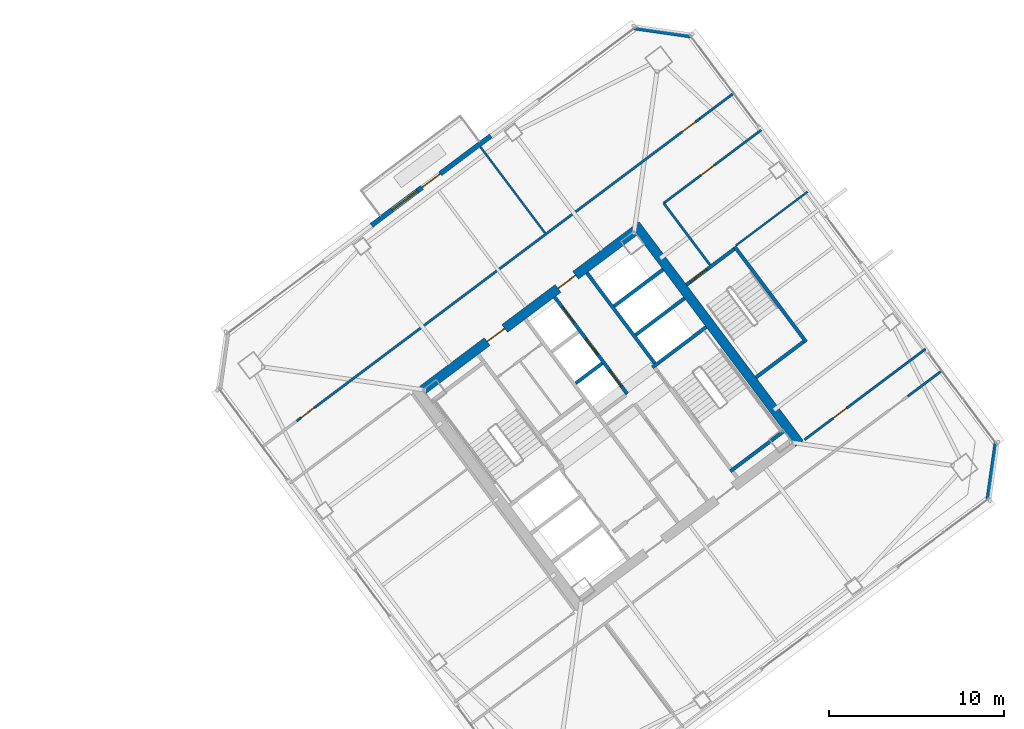
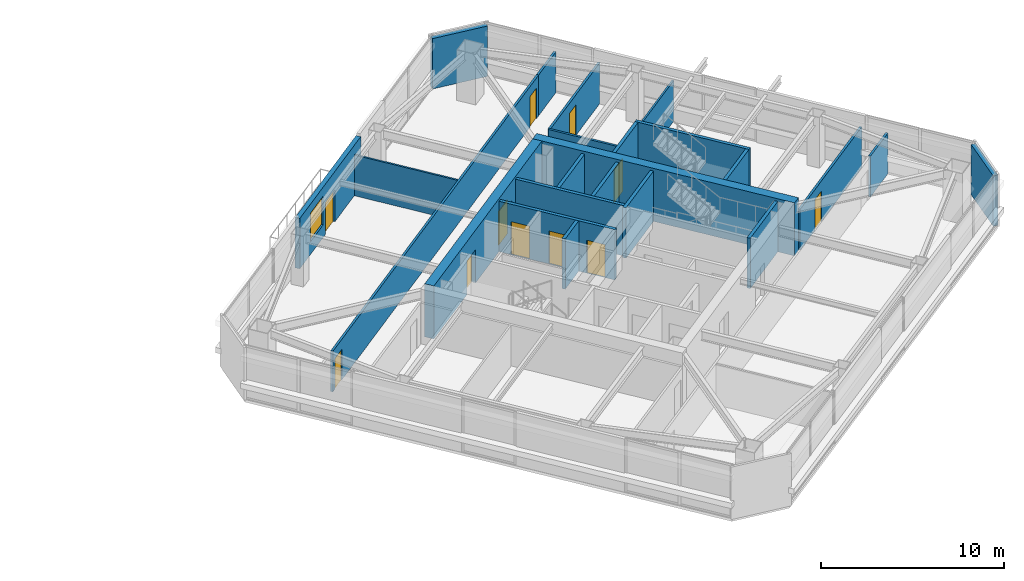
# One storey, part 37 of 44: 23 walls, 11 doors, 1 window, 12 openings.
"""IFC4 building model written with IfcOpenShell, lengths in metres."""

from ifc_helpers import new_model, si_unit, direction, frame, frame_2d, origin, place, context, subcontext, project, spatial, rectangle, extrude, material, layer, layer_set, type_object, element, fill, save


model = new_model("IFC4")

# Units and contexts
model_context = context("Model", 3, precision=1e-05, world=origin(), true_north=direction((0.0, 1.0)))
body_context = subcontext(model_context, "Body", "Model", "MODEL_VIEW")
ifc_project = project(units=[si_unit("LENGTHUNIT", "METRE"), si_unit("AREAUNIT", "SQUARE_METRE"), si_unit("VOLUMEUNIT", "CUBIC_METRE"), si_unit("PLANEANGLEUNIT", "RADIAN"), si_unit("MASSUNIT", "GRAM", prefix="KILO")], contexts=[model_context])

# Site, building, storey
site_placement = place(None, origin())
site = spatial("IfcSite", under=ifc_project, at=site_placement, CompositionType="ELEMENT")
building_placement = place(site_placement, origin())
building = spatial("IfcBuilding", under=site, at=building_placement, Name="Tashvorn Skyway Center", CompositionType="ELEMENT")
storey_placement = place(building_placement, frame((0.0, 0.0, 181.85009765625)))
storey = spatial("IfcBuildingStorey", under=building, at=storey_placement, Name="L49", CompositionType="ELEMENT", Elevation=181.85009765625)

# Wall
ifc_material_1 = material(Name="Concrete C60/75", Category="concrete")
ifc_layer_1 = layer(ifc_material_1, 0.550048828125)
ifc_layer_set_1 = layer_set([ifc_layer_1], Name="Concrete C60/75")
wall_type_1 = type_object("IfcWallType", Name="WALL-CORE-550", PredefinedType="SHEAR", material=ifc_layer_set_1)
wall_1_placement = place(storey_placement, frame((115.56396484375, 42.923095703125, 0.0), z_axis=(0.0, 0.0, 1.0), x_axis=(0.600005007985, -0.799996243986, 0.0)))
element("IfcWall", 1, at=wall_1_placement, inside=storey, type_object=wall_type_1, Name="Tower 2 L49 East Core Shear Wall", PredefinedType="SHEAR", context=body_context, shape_type="SweptSolid", body=[
    extrude(rectangle(XDim=15.60009765625, YDim=0.550048828125, at=frame_2d((7.800048828125, 0.0))), origin(), (0.0, 0.0, 1.0), 3.5498046875),
])

# Wall, openings, doors
wall_2_placement = place(storey_placement, frame((103.4609375, 33.501953125, 0.0), z_axis=(0.0, 0.0, 1.0), x_axis=(0.799998054672, 0.600002593761, 0.0)))
wall_2 = element("IfcWall", 2, at=wall_2_placement, inside=storey, type_object=wall_type_1, Name="Tower 2 L49 North Core Shear Wall", PredefinedType="SHEAR", context=body_context, shape_type="SweptSolid", body=[
    extrude(rectangle(XDim=15.06005859375, YDim=0.550048828125, at=frame_2d((7.530029296875, 0.0))), origin(), (0.0, 0.0, 1.0), 3.5498046875),
])
opening_1_placement = place(wall_2_placement, frame((4.580078125, 0.0, 0.0)))
opening_1 = element("IfcOpeningElement", 3, at=opening_1_placement, cuts=wall_2, Name="Opening D-FFL-1250", PredefinedType="OPENING", context=body_context, shape_type="SweptSolid", body=[
    extrude(rectangle(XDim=1.25, YDim=2.25, at=frame_2d((0.625, 1.125))), frame((0.0, 0.284912109375, 0.0), z_axis=(0.0, -1.0, 0.0), x_axis=(1.0, 0.0, 0.0)), (0.0, 0.0, 1.0), 0.570068359375),
])
opening_2_placement = place(wall_2_placement, frame((9.6298828125, 0.0, 0.0)))
opening_2 = element("IfcOpeningElement", 4, at=opening_2_placement, cuts=wall_2, Name="Opening D-FFL-1250", PredefinedType="OPENING", context=body_context, shape_type="SweptSolid", body=[
    extrude(rectangle(XDim=1.25, YDim=2.25, at=frame_2d((0.625, 1.125))), frame((0.0, 0.284912109375, 0.0), z_axis=(0.0, -1.0, 0.0), x_axis=(1.0, 0.0, 0.0)), (0.0, 0.0, 1.0), 0.570068359375),
])
ifc_material_2 = material(Name="Hollow galvanized steel fire door assembly", Category="steel")
door_type_1 = type_object("IfcDoorType", Name="DOOR-FFL-1250", OperationType="NOTDEFINED", PredefinedType="DOOR", material=ifc_material_2)
door_1_placement = place(opening_1_placement, origin())
door_1 = element("IfcDoor", 5, at=door_1_placement, inside=storey, type_object=door_type_1, Name="Tower 2 L49 Core North Service Lobby Door", OperationType="SINGLE_SWING_LEFT", OverallHeight=2.25, OverallWidth=1.25, PredefinedType="DOOR", context=body_context, shape_type="SweptSolid", body=[
    extrude(rectangle(XDim=1.25, YDim=2.25, at=frame_2d((0.625, 1.125))), frame((0.0, 0.02490234375, 0.0), z_axis=(0.0, -1.0, 0.0), x_axis=(1.0, 0.0, 0.0)), (0.0, 0.0, 1.0), 0.050048828125),
])
fill(opening_1, door_1)
door_2_placement = place(opening_2_placement, origin())
door_2 = element("IfcDoor", 6, at=door_2_placement, inside=storey, type_object=door_type_1, Name="Tower 2 L49 Core North Lift Lobby Door", OperationType="SINGLE_SWING_RIGHT", OverallHeight=2.25, OverallWidth=1.25, PredefinedType="DOOR", context=body_context, shape_type="SweptSolid", body=[
    extrude(rectangle(XDim=1.25, YDim=2.25, at=frame_2d((0.625, 1.125))), frame((0.0, 0.02490234375, 0.0), z_axis=(0.0, -1.0, 0.0), x_axis=(1.0, 0.0, 0.0)), (0.0, 0.0, 1.0), 0.050048828125),
])
fill(opening_2, door_2)

# Wall, openings, door, window
ifc_material_3 = material(Name="Precast concrete C40/50", Category="concrete")
ifc_layer_2 = layer(ifc_material_3, 0.280029296875)
ifc_layer_set_2 = layer_set([ifc_layer_2], Name="Precast concrete C40/50")
wall_type_2 = type_object("IfcWallType", Name="WALL-EXT-280", PredefinedType="SOLIDWALL", material=ifc_layer_set_2)
wall_3_placement = place(storey_placement, frame((100.531982421875, 42.8740234375, 0.0), z_axis=(0.0, 0.0, 1.0), x_axis=(0.799996553335, 0.600004595526, 0.0)))
wall_3 = element("IfcWall", 7, at=wall_3_placement, inside=storey, type_object=wall_type_2, Name="Tower 2 L49 North Terrace Portal Wall", PredefinedType="SOLIDWALL", context=body_context, shape_type="SweptSolid", body=[
    extrude(rectangle(XDim=8.5, YDim=0.280029296875, at=frame_2d((4.25, 0.0))), origin(), (0.0, 0.0, 1.0), 3.369873046875),
])
opening_3_placement = place(wall_3_placement, frame((3.60009765625, 0.0, 0.0)))
opening_3 = element("IfcOpeningElement", 8, at=opening_3_placement, cuts=wall_3, Name="Opening D-TER-1300", PredefinedType="OPENING", context=body_context, shape_type="SweptSolid", body=[
    extrude(rectangle(XDim=1.300048828125, YDim=2.14990234375, at=frame_2d((0.64990234375, 1.074951171875))), frame((0.0, 0.14990234375, 0.0), z_axis=(0.0, -1.0, 0.0), x_axis=(1.0, 0.0, 0.0)), (0.0, 0.0, 1.0), 0.300048828125),
])
opening_4_placement = place(wall_3_placement, frame((1.4599609375, 0.0, 0.85009765625)))
opening_4 = element("IfcOpeningElement", 9, at=opening_4_placement, cuts=wall_3, Name="Opening WIN-1800", PredefinedType="OPENING", context=body_context, shape_type="SweptSolid", body=[
    extrude(rectangle(XDim=1.800048828125, YDim=1.919921875, at=frame_2d((0.89990234375, 0.9599609375))), frame((0.0, 0.14990234375, 0.0), z_axis=(0.0, -1.0, 0.0), x_axis=(1.0, 0.0, 0.0)), (0.0, 0.0, 1.0), 0.300048828125),
])
ifc_material_4 = material(Name="Thermally broken bronze-anodized aluminium 6063-T6", Category="aluminium")
door_type_2 = type_object("IfcDoorType", Name="DOOR-TERR-1300", OperationType="NOTDEFINED", PredefinedType="DOOR", material=ifc_material_4)
door_3_placement = place(opening_3_placement, origin())
door_3 = element("IfcDoor", 10, at=door_3_placement, inside=storey, type_object=door_type_2, Name="Tower 2 L49 Terrace Access Door", OperationType="SINGLE_SWING_RIGHT", OverallHeight=2.14990234375, OverallWidth=1.300048828125, PredefinedType="DOOR", context=body_context, shape_type="SweptSolid", body=[
    extrude(rectangle(XDim=1.300048828125, YDim=2.14990234375, at=frame_2d((0.64990234375, 1.074951171875))), frame((0.0, 0.02490234375, 0.0), z_axis=(0.0, -1.0, 0.0), x_axis=(1.0, 0.0, 0.0)), (0.0, 0.0, 1.0), 0.050048828125),
])
fill(opening_3, door_3)
ifc_material_5 = material(Name="Low-E solar-control double insulating safety glass", Category="glass")
window_type = type_object("IfcWindowType", Name="WIN-TERR-1800", PartitioningType="SINGLE_PANEL", PredefinedType="WINDOW", material=ifc_material_5)
window_placement = place(opening_4_placement, origin())
window = element("IfcWindow", 11, at=window_placement, inside=storey, type_object=window_type, Name="Tower 2 L49 Terrace Window", OverallHeight=1.919921875, OverallWidth=1.800048828125, PartitioningType="SINGLE_PANEL", PredefinedType="WINDOW", context=body_context, shape_type="SweptSolid", body=[
    extrude(rectangle(XDim=1.800048828125, YDim=1.919921875, at=frame_2d((0.89990234375, 0.9599609375))), frame((0.0, 0.030029296875, 0.0), z_axis=(0.0, -1.0, 0.0), x_axis=(1.0, 0.0, 0.0)), (0.0, 0.0, 1.0), 0.06005859375),
])
fill(opening_4, window)

# Walls
for number, where, z_axis, x_axis, name in (
    (12, (115.52001953125, 54.139892578125, 0.0), (0.0, 0.0, 1.0), (0.989950994782, -0.141410847992, 0.0), "Tower 2 L49 NE Precast Chamfer Wall"),
    (13, (136.139892578125, 30.47998046875, 0.0), (0.0, 0.0, 1.0), (-0.141410847992, -0.989950994782, 0.0), "Tower 2 L49 SE Precast Chamfer Wall"),
):
    element("IfcWall", number, at=place(storey_placement, frame(where, z_axis=z_axis, x_axis=x_axis)), inside=storey, type_object=wall_type_2, Name=name, PredefinedType="SOLIDWALL", context=body_context, shape_type="SweptSolid", body=[
        extrude(rectangle(XDim=3.252685546875, YDim=0.280029296875, at=frame_2d((1.62646484375, 0.0))), origin(), (0.0, 0.0, 1.0), 3.369873046875),
    ])
ifc_material_6 = material(Name="Gypsum board on cold-formed steel stud framing", Category="steel")
ifc_layer_3 = layer(ifc_material_6, 0.110107421875)
ifc_layer_set_3 = layer_set([ifc_layer_3], Name="Gypsum board on cold-formed steel stud framing")
wall_type_3 = type_object("IfcWallType", Name="WALL-PART-110", PredefinedType="PARTITIONING", material=ifc_layer_set_3)
wall_4_placement = place(storey_placement, frame((110.419921875, 42.43994140625, 0.0), z_axis=(0.0, 0.0, 1.0), x_axis=(-0.599993627662, 0.800004779214, 0.0)))
element("IfcWall", 14, at=wall_4_placement, inside=storey, type_object=wall_type_3, Name="Tower 2 L49 North Suite Partition 1", PredefinedType="PARTITIONING", context=body_context, shape_type="SweptSolid", body=[
    extrude(rectangle(XDim=6.130126953125, YDim=0.110107421875, at=frame_2d((3.06494140625, 0.0))), origin(), (0.0, 0.0, 1.0), 2.722900390625),
])
wall_5_placement = place(storey_placement, frame((125.384033203125, 44.7880859375, 0.0), z_axis=(0.0, 0.0, 1.0), x_axis=(-0.8, -0.6, 0.0)))
element("IfcWall", 15, at=wall_5_placement, inside=storey, type_object=wall_type_3, Name="Tower 2 L49 East Suite Partition 1", PredefinedType="PARTITIONING", context=body_context, shape_type="SweptSolid", body=[
    extrude(rectangle(XDim=5.10009765625, YDim=0.110107421875, at=frame_2d((2.550048828125, 0.0))), origin(), (0.0, 0.0, 1.0), 2.722900390625),
])
ifc_layer_4 = layer(ifc_material_6, 0.135009765625)
ifc_layer_set_4 = layer_set([ifc_layer_4], Name="Gypsum board on cold-formed steel stud framing")
wall_type_4 = type_object("IfcWallType", Name="WALL-PART-135", PredefinedType="PARTITIONING", material=ifc_layer_set_4)
wall_6_placement = place(storey_placement, frame((119.823974609375, 40.617919921875, 0.0), z_axis=(0.0, 0.0, 1.0), x_axis=(-0.599982243973, 0.800013316712, 0.0)))
element("IfcWall", 16, at=wall_6_placement, inside=storey, type_object=wall_type_4, Name="Tower 2 L49 Stair 3 Access Corridor Wall", PredefinedType="PARTITIONING", context=body_context, shape_type="SweptSolid", body=[
    extrude(rectangle(XDim=4.39990234375, YDim=0.135009765625, at=frame_2d((2.199951171875, 0.0))), origin(), (0.0, 0.0, 1.0), 2.722900390625),
])

# Wall, openings, doors
wall_7_placement = place(storey_placement, frame((96.26806640625, 31.72607421875, 0.0), z_axis=(0.0, 0.0, 1.0), x_axis=(0.8, 0.6, 0.0)))
wall_7 = element("IfcWall", 17, at=wall_7_placement, inside=storey, type_object=wall_type_4, Name="Tower 2 L49 North Suite Wall", PredefinedType="PARTITIONING", context=body_context, shape_type="SweptSolid", body=[
    extrude(rectangle(XDim=28.699951171875, YDim=0.135009765625, at=frame_2d((14.35009765625, 0.0))), origin(), (0.0, 0.0, 1.0), 2.722900390625),
])
opening_5_placement = place(wall_7_placement, frame((0.300048828125, 0.0, 0.0)))
opening_5 = element("IfcOpeningElement", 18, at=opening_5_placement, cuts=wall_7, Name="Opening D-INT-950", PredefinedType="OPENING", context=body_context, shape_type="SweptSolid", body=[
    extrude(rectangle(XDim=0.949951171875, YDim=2.050048828125, at=frame_2d((0.47509765625, 1.02490234375))), frame((0.0, 0.077392578125, 0.0), z_axis=(0.0, -1.0, 0.0), x_axis=(1.0, 0.0, 0.0)), (0.0, 0.0, 1.0), 0.155029296875),
])
opening_6_placement = place(wall_7_placement, frame((27.449951171875, 0.0, 0.0)))
opening_6 = element("IfcOpeningElement", 19, at=opening_6_placement, cuts=wall_7, Name="Opening D-INT-950", PredefinedType="OPENING", context=body_context, shape_type="SweptSolid", body=[
    extrude(rectangle(XDim=0.949951171875, YDim=2.050048828125, at=frame_2d((0.47509765625, 1.02490234375))), frame((0.0, 0.077392578125, 0.0), z_axis=(0.0, -1.0, 0.0), x_axis=(1.0, 0.0, 0.0)), (0.0, 0.0, 1.0), 0.155029296875),
])
ifc_material_7 = material(Name="Solid-core architectural oak veneer door")
door_type_3 = type_object("IfcDoorType", Name="DOOR-INT-950", OperationType="NOTDEFINED", PredefinedType="DOOR", material=ifc_material_7)
door_4_placement = place(opening_5_placement, origin())
door_4 = element("IfcDoor", 20, at=door_4_placement, inside=storey, type_object=door_type_3, Name="Tower 2 L49 Wellness Clinic Door", OperationType="SINGLE_SWING_LEFT", OverallHeight=2.050048828125, OverallWidth=0.949951171875, PredefinedType="DOOR", context=body_context, shape_type="SweptSolid", body=[
    extrude(rectangle(XDim=0.949951171875, YDim=2.050048828125, at=frame_2d((0.47509765625, 1.02490234375))), frame((0.0, 0.02490234375, 0.0), z_axis=(0.0, -1.0, 0.0), x_axis=(1.0, 0.0, 0.0)), (0.0, 0.0, 1.0), 0.050048828125),
])
fill(opening_5, door_4)
door_5_placement = place(opening_6_placement, origin())
door_5 = element("IfcDoor", 21, at=door_5_placement, inside=storey, type_object=door_type_3, Name="Tower 2 L49 Wellness Clinic Door", OperationType="SINGLE_SWING_RIGHT", OverallHeight=2.050048828125, OverallWidth=0.949951171875, PredefinedType="DOOR", context=body_context, shape_type="SweptSolid", body=[
    extrude(rectangle(XDim=0.949951171875, YDim=2.050048828125, at=frame_2d((0.47509765625, 1.02490234375))), frame((0.0, 0.02490234375, 0.0), z_axis=(0.0, -1.0, 0.0), x_axis=(1.0, 0.0, 0.0)), (0.0, 0.0, 1.0), 0.050048828125),
])
fill(opening_6, door_5)

# Walls
wall_8_placement = place(storey_placement, frame((119.22802734375, 48.946044921875, 0.0), z_axis=(0.0, 0.0, 1.0), x_axis=(0.800012055778, 0.599983925293, 0.0)))
element("IfcWall", 22, at=wall_8_placement, inside=storey, type_object=wall_type_4, Name="Tower 2 L49 North-East Suite South Wall", PredefinedType="PARTITIONING", context=body_context, shape_type="SweptSolid", body=[
    extrude(rectangle(XDim=2.43017578125, YDim=0.135009765625, at=frame_2d((1.215087890625, 0.0))), origin(), (0.0, 0.0, 1.0), 2.722900390625),
])
wall_9_placement = place(storey_placement, frame((131.090087890625, 33.1298828125, 0.0), z_axis=(0.0, 0.0, 1.0), x_axis=(0.799975885537, 0.600032151272, 0.0)))
element("IfcWall", 23, at=wall_9_placement, inside=storey, type_object=wall_type_4, Name="Tower 2 L49 South-East Suite North Wall", PredefinedType="PARTITIONING", context=body_context, shape_type="SweptSolid", body=[
    extrude(rectangle(XDim=2.429931640625, YDim=0.135009765625, at=frame_2d((1.21484375, 0.0))), origin(), (0.0, 0.0, 1.0), 2.722900390625),
])

# Wall, opening, door
wall_10_placement = place(storey_placement, frame((122.743896484375, 48.30810546875, 0.0), z_axis=(0.0, 0.0, 1.0), x_axis=(-0.79997892247, -0.600028102345, 0.0)))
wall_10 = element("IfcWall", 24, at=wall_10_placement, inside=storey, type_object=wall_type_4, Name="Tower 2 L49 East Suite North Wall", PredefinedType="PARTITIONING", context=body_context, shape_type="SweptSolid", body=[
    extrude(rectangle(XDim=6.949951171875, YDim=0.135009765625, at=frame_2d((3.47509765625, 0.0))), origin(), (0.0, 0.0, 1.0), 2.722900390625),
])
opening_7_placement = place(wall_10_placement, frame((3.35009765625, 0.0, 0.0)))
opening_7 = element("IfcOpeningElement", 25, at=opening_7_placement, cuts=wall_10, Name="Opening D-INT-950", PredefinedType="OPENING", context=body_context, shape_type="SweptSolid", body=[
    extrude(rectangle(XDim=0.949951171875, YDim=2.050048828125, at=frame_2d((0.47509765625, 1.02490234375))), frame((0.0, 0.077392578125, 0.0), z_axis=(0.0, -1.0, 0.0), x_axis=(1.0, 0.0, 0.0)), (0.0, 0.0, 1.0), 0.155029296875),
])
door_6_placement = place(opening_7_placement, origin())
door_6 = element("IfcDoor", 26, at=door_6_placement, inside=storey, type_object=door_type_3, Name="Tower 2 L49 Operations Control Room Door", OperationType="SINGLE_SWING_LEFT", OverallHeight=2.050048828125, OverallWidth=0.949951171875, PredefinedType="DOOR", context=body_context, shape_type="SweptSolid", body=[
    extrude(rectangle(XDim=0.949951171875, YDim=2.050048828125, at=frame_2d((0.47509765625, 1.02490234375))), frame((0.0, 0.02490234375, 0.0), z_axis=(0.0, -1.0, 0.0), x_axis=(1.0, 0.0, 0.0)), (0.0, 0.0, 1.0), 0.050048828125),
])
fill(opening_7, door_6)

wall_11_placement = place(storey_placement, frame((125.2080078125, 30.656005859375, 0.0), z_axis=(0.0, 0.0, 1.0), x_axis=(0.800006797429, 0.599990936654, 0.0)))
wall_11 = element("IfcWall", 27, at=wall_11_placement, inside=storey, type_object=wall_type_4, Name="Tower 2 L49 East Suite South Wall", PredefinedType="PARTITIONING", context=body_context, shape_type="SweptSolid", body=[
    extrude(rectangle(XDim=8.619873046875, YDim=0.135009765625, at=frame_2d((4.31005859375, 0.0))), origin(), (0.0, 0.0, 1.0), 2.722900390625),
])
opening_8_placement = place(wall_11_placement, frame((2.044921875, 0.0, 0.0)))
opening_8 = element("IfcOpeningElement", 28, at=opening_8_placement, cuts=wall_11, Name="Opening D-INT-950", PredefinedType="OPENING", context=body_context, shape_type="SweptSolid", body=[
    extrude(rectangle(XDim=0.949951171875, YDim=2.050048828125, at=frame_2d((0.47509765625, 1.02490234375))), frame((0.0, 0.077392578125, 0.0), z_axis=(0.0, -1.0, 0.0), x_axis=(1.0, 0.0, 0.0)), (0.0, 0.0, 1.0), 0.155029296875),
])
door_7_placement = place(opening_8_placement, origin())
door_7 = element("IfcDoor", 29, at=door_7_placement, inside=storey, type_object=door_type_3, Name="Tower 2 L49 Public Restroom Door", OperationType="SINGLE_SWING_RIGHT", OverallHeight=2.050048828125, OverallWidth=0.949951171875, PredefinedType="DOOR", context=body_context, shape_type="SweptSolid", body=[
    extrude(rectangle(XDim=0.949951171875, YDim=2.050048828125, at=frame_2d((0.47509765625, 1.02490234375))), frame((0.0, 0.02490234375, 0.0), z_axis=(0.0, -1.0, 0.0), x_axis=(1.0, 0.0, 0.0)), (0.0, 0.0, 1.0), 0.050048828125),
])
fill(opening_8, door_7)

# Walls
ifc_material_8 = material(Name="Concrete C40/50", Category="concrete")
ifc_layer_5 = layer(ifc_material_8, 0.199951171875)
ifc_layer_set_5 = layer_set([ifc_layer_5], Name="Concrete C40/50")
wall_type_5 = type_object("IfcWallType", Name="WALL-SHAFT-200", PredefinedType="SOLIDWALL", material=ifc_layer_set_5)
for number, where, z_axis, x_axis, name in (
    (30, (115.590087890625, 36.6298828125, 0.0), (0.0, 0.0, 1.0), (0.799974743577, 0.600033673754, 0.0), "Tower 2 L49 High-Rise Shaft Divider"),
    (31, (114.360107421875, 38.27001953125, 0.0), (0.0, 0.0, 1.0), (0.800008418847, 0.599988774707, 0.0), "Tower 2 L49 High-Rise Shaft Divider"),
):
    element("IfcWall", number, at=place(storey_placement, frame(where, z_axis=z_axis, x_axis=x_axis)), inside=storey, type_object=wall_type_5, Name=name, PredefinedType="SOLIDWALL", context=body_context, shape_type="SweptSolid", body=[
        extrude(rectangle(XDim=3.47998046875, YDim=0.199951171875, at=frame_2d((1.739990234375, 0.0))), origin(), (0.0, 0.0, 1.0), 3.369873046875),
    ])

# Wall, openings, doors
wall_12_placement = place(storey_placement, frame((115.110107421875, 33.27001953125, 0.0), z_axis=(0.0, 0.0, 1.0), x_axis=(-0.600011322243, 0.799991508192, 0.0)))
wall_12 = element("IfcWall", 32, at=wall_12_placement, inside=storey, type_object=wall_type_5, Name="Tower 2 L49 Mid-Rise Core Wall", PredefinedType="SOLIDWALL", context=body_context, shape_type="SweptSolid", body=[
    extrude(rectangle(XDim=6.900146484375, YDim=0.199951171875, at=frame_2d((3.4501953125, 0.0))), origin(), (0.0, 0.0, 1.0), 3.369873046875),
])
opening_9_placement = place(wall_12_placement, frame((0.574951171875, 0.0, 0.0)))
opening_9 = element("IfcOpeningElement", 33, at=opening_9_placement, cuts=wall_12, Name="Opening LD-MR-T2-1-L49", PredefinedType="OPENING", context=body_context, shape_type="SweptSolid", body=[
    extrude(rectangle(XDim=1.10009765625, YDim=2.199951171875, at=frame_2d((0.550048828125, 1.10009765625))), frame((0.0, 0.10986328125, 0.0), z_axis=(0.0, -1.0, 0.0), x_axis=(1.0, 0.0, 0.0)), (0.0, 0.0, 1.0), 0.219970703125),
])
opening_10_placement = place(wall_12_placement, frame((2.824951171875, 0.0, 0.0)))
opening_10 = element("IfcOpeningElement", 34, at=opening_10_placement, cuts=wall_12, Name="Opening LD-MR-T2-2-L49", PredefinedType="OPENING", context=body_context, shape_type="SweptSolid", body=[
    extrude(rectangle(XDim=1.10009765625, YDim=2.199951171875, at=frame_2d((0.550048828125, 1.10009765625))), frame((0.0, 0.10986328125, 0.0), z_axis=(0.0, -1.0, 0.0), x_axis=(1.0, 0.0, 0.0)), (0.0, 0.0, 1.0), 0.219970703125),
])
opening_11_placement = place(wall_12_placement, frame((5.074951171875, 0.0, 0.0)))
opening_11 = element("IfcOpeningElement", 35, at=opening_11_placement, cuts=wall_12, Name="Opening LD-MR-T2-3-L49", PredefinedType="OPENING", context=body_context, shape_type="SweptSolid", body=[
    extrude(rectangle(XDim=1.10009765625, YDim=2.199951171875, at=frame_2d((0.550048828125, 1.10009765625))), frame((0.0, 0.10986328125, 0.0), z_axis=(0.0, -1.0, 0.0), x_axis=(1.0, 0.0, 0.0)), (0.0, 0.0, 1.0), 0.219970703125),
])
ifc_material_9 = material(Name="Stainless steel landing door", Category="steel")
door_type_4 = type_object("IfcDoorType", Name="DOOR-LIFT-1100", OperationType="SLIDING_TO_LEFT", PredefinedType="DOOR", material=ifc_material_9)
door_8_placement = place(opening_9_placement, origin())
door_8 = element("IfcDoor", 36, at=door_8_placement, inside=storey, type_object=door_type_4, Name="Lift MR-T2-1 L49 Landing Door", OperationType="SLIDING_TO_LEFT", OverallHeight=2.199951171875, OverallWidth=1.10009765625, PredefinedType="DOOR", context=body_context, shape_type="SweptSolid", body=[
    extrude(rectangle(XDim=1.10009765625, YDim=2.199951171875, at=frame_2d((0.550048828125, 1.10009765625))), frame((0.0, 0.02490234375, 0.0), z_axis=(0.0, -1.0, 0.0), x_axis=(1.0, 0.0, 0.0)), (0.0, 0.0, 1.0), 0.050048828125),
])
fill(opening_9, door_8)
door_9_placement = place(opening_10_placement, origin())
door_9 = element("IfcDoor", 37, at=door_9_placement, inside=storey, type_object=door_type_4, Name="Lift MR-T2-2 L49 Landing Door", OperationType="SLIDING_TO_LEFT", OverallHeight=2.199951171875, OverallWidth=1.10009765625, PredefinedType="DOOR", context=body_context, shape_type="SweptSolid", body=[
    extrude(rectangle(XDim=1.10009765625, YDim=2.199951171875, at=frame_2d((0.550048828125, 1.10009765625))), frame((0.0, 0.02490234375, 0.0), z_axis=(0.0, -1.0, 0.0), x_axis=(1.0, 0.0, 0.0)), (0.0, 0.0, 1.0), 0.050048828125),
])
fill(opening_10, door_9)
door_10_placement = place(opening_11_placement, origin())
door_10 = element("IfcDoor", 38, at=door_10_placement, inside=storey, type_object=door_type_4, Name="Lift MR-T2-3 L49 Landing Door", OperationType="SLIDING_TO_LEFT", OverallHeight=2.199951171875, OverallWidth=1.10009765625, PredefinedType="DOOR", context=body_context, shape_type="SweptSolid", body=[
    extrude(rectangle(XDim=1.10009765625, YDim=2.199951171875, at=frame_2d((0.550048828125, 1.10009765625))), frame((0.0, 0.02490234375, 0.0), z_axis=(0.0, -1.0, 0.0), x_axis=(1.0, 0.0, 0.0)), (0.0, 0.0, 1.0), 0.050048828125),
])
fill(opening_11, door_10)

# Walls
wall_13_placement = place(storey_placement, frame((112.176025390625, 33.882080078125, 0.0), z_axis=(0.0, 0.0, 1.0), x_axis=(0.8, 0.6, 0.0)))
element("IfcWall", 39, at=wall_13_placement, inside=storey, type_object=wall_type_5, Name="Tower 2 L49 Mid-Rise Shaft Divider", PredefinedType="SOLIDWALL", context=body_context, shape_type="SweptSolid", body=[
    extrude(rectangle(XDim=1.8798828125, YDim=0.199951171875, at=frame_2d((0.93994140625, 0.0))), origin(), (0.0, 0.0, 1.0), 3.369873046875),
])
ifc_layer_6 = layer(ifc_material_8, 0.199951171875)
ifc_layer_set_6 = layer_set([ifc_layer_6], Name="Concrete C40/50")
wall_type_6 = type_object("IfcWallType", Name="WALL-STSHF-200", PredefinedType="SHEAR", material=ifc_layer_set_6)
for number, where, z_axis, x_axis, name in (
    (40, (116.5400390625, 34.780029296875, 0.0), (0.0, 0.0, 1.0), (0.800015298837, 0.599979601008, 0.0), "Tower 2 L49 Stair 2 North Wall"),
    (41, (120.97998046875, 28.860107421875, 0.0), (0.0, 0.0, 1.0), (0.800015298837, 0.599979601008, 0.0), "Tower 2 L49 Stair 2 South Wall"),
):
    element("IfcWall", number, at=place(storey_placement, frame(where, z_axis=z_axis, x_axis=x_axis)), inside=storey, type_object=wall_type_6, Name=name, PredefinedType="SHEAR", context=body_context, shape_type="SweptSolid", body=[
        extrude(rectangle(XDim=3.829833984375, YDim=0.199951171875, at=frame_2d((1.9150390625, 0.0))), origin(), (0.0, 0.0, 1.0), 3.369873046875),
    ])
wall_14_placement = place(storey_placement, frame((112.81005859375, 40.169921875, 0.0), z_axis=(0.0, 0.0, 1.0), x_axis=(0.599993943644, -0.800004542231, 0.0)))
element("IfcWall", 42, at=wall_14_placement, inside=storey, type_object=wall_type_6, Name="Tower 2 L49 High-Rise Lift Shaft Front Wall", PredefinedType="SHEAR", context=body_context, shape_type="SweptSolid", body=[
    extrude(rectangle(XDim=6.449951171875, YDim=0.199951171875, at=frame_2d((3.22509765625, 0.0))), origin(), (0.0, 0.0, 1.0), 3.369873046875),
])
wall_15_placement = place(storey_placement, frame((125.303955078125, 36.22802734375, 0.0), z_axis=(0.0, 0.0, 1.0), x_axis=(-0.59998851072, 0.800008616831, 0.0)))
element("IfcWall", 43, at=wall_15_placement, inside=storey, type_object=wall_type_6, Name="Tower 2 L49 Stair 3 Outer Wall", PredefinedType="SHEAR", context=body_context, shape_type="SweptSolid", body=[
    extrude(rectangle(XDim=6.7998046875, YDim=0.199951171875, at=frame_2d((3.39990234375, 0.0))), origin(), (0.0, 0.0, 1.0), 3.369873046875),
])

# Wall, opening, door
wall_16_placement = place(storey_placement, frame((121.2041015625, 41.528076171875, 0.0), z_axis=(0.0, 0.0, 1.0), x_axis=(-0.800017232136, -0.599977023131, 0.0)))
wall_16 = element("IfcWall", 44, at=wall_16_placement, inside=storey, type_object=wall_type_6, Name="Tower 2 L49 Stair 3 Enclosure Wall", PredefinedType="SHEAR", context=body_context, shape_type="SweptSolid", body=[
    extrude(rectangle(XDim=3.400146484375, YDim=0.199951171875, at=frame_2d((1.7001953125, 0.0))), origin(), (0.0, 0.0, 1.0), 3.369873046875),
])
opening_12_placement = place(wall_16_placement, frame((1.97509765625, 0.0, 0.0)))
opening_12 = element("IfcOpeningElement", 45, at=opening_12_placement, cuts=wall_16, Name="Opening D-ST-1150", PredefinedType="OPENING", context=body_context, shape_type="SweptSolid", body=[
    extrude(rectangle(XDim=1.14990234375, YDim=2.199951171875, at=frame_2d((0.574951171875, 1.10009765625))), frame((0.0, 0.10986328125, 0.0), z_axis=(0.0, -1.0, 0.0), x_axis=(1.0, 0.0, 0.0)), (0.0, 0.0, 1.0), 0.219970703125),
])
door_type_5 = type_object("IfcDoorType", Name="DOOR-STAIR-1150", OperationType="NOTDEFINED", PredefinedType="DOOR", material=ifc_material_2)
door_11_placement = place(opening_12_placement, origin())
door_11 = element("IfcDoor", 46, at=door_11_placement, inside=storey, type_object=door_type_5, Name="Tower 2 L49 Exit Stair 3 Door", OperationType="SINGLE_SWING_RIGHT", OverallHeight=2.199951171875, OverallWidth=1.14990234375, PredefinedType="DOOR", context=body_context, shape_type="SweptSolid", body=[
    extrude(rectangle(XDim=1.14990234375, YDim=2.199951171875, at=frame_2d((0.574951171875, 1.10009765625))), frame((0.0, 0.02490234375, 0.0), z_axis=(0.0, -1.0, 0.0), x_axis=(1.0, 0.0, 0.0)), (0.0, 0.0, 1.0), 0.050048828125),
])
fill(opening_12, door_11)

# Wall
wall_17_placement = place(storey_placement, frame((122.444091796875, 34.2080078125, 0.0), z_axis=(0.0, 0.0, 1.0), x_axis=(0.79999138319, 0.600011488909, 0.0)))
element("IfcWall", 47, at=wall_17_placement, inside=storey, type_object=wall_type_6, Name="Tower 2 L49 Stair 3 South Wall", PredefinedType="SHEAR", context=body_context, shape_type="SweptSolid", body=[
    extrude(rectangle(XDim=3.39990234375, YDim=0.199951171875, at=frame_2d((1.699951171875, 0.0))), origin(), (0.0, 0.0, 1.0), 3.369873046875),
])

save(model, "model.ifc")
